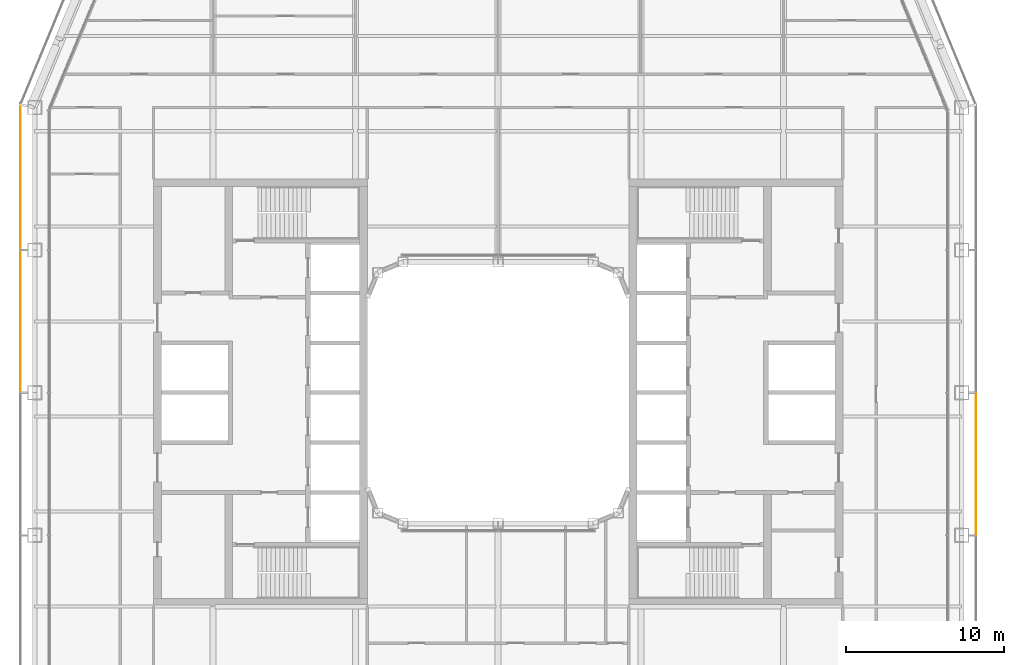
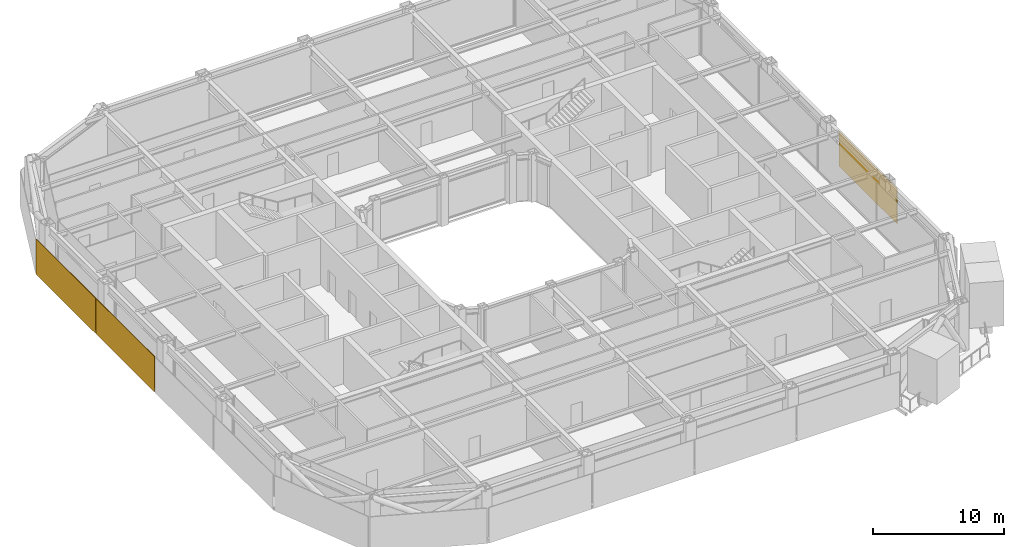
# One storey, part 20 of 23: 3 coverings.
"""IFC4 building model written with IfcOpenShell, lengths in metres."""

from ifc_helpers import new_model, si_unit, direction, frame, origin, origin_2d, place, context, subcontext, project, spatial, rectangle, extrude, material, layer, layer_set, type_object, element, save


model = new_model("IFC4")

# Units and contexts
model_context = context("Model", 3, precision=1e-05, world=origin(), true_north=direction((0.0, 1.0)))
body_context = subcontext(model_context, "Body", "Model", "MODEL_VIEW")
ifc_project = project(units=[si_unit("LENGTHUNIT", "METRE"), si_unit("AREAUNIT", "SQUARE_METRE"), si_unit("VOLUMEUNIT", "CUBIC_METRE"), si_unit("PLANEANGLEUNIT", "RADIAN"), si_unit("MASSUNIT", "GRAM", prefix="KILO")], contexts=[model_context])

# Site, building, storey
site_placement = place(None, origin())
site = spatial("IfcSite", under=ifc_project, at=site_placement, CompositionType="ELEMENT")
building_placement = place(site_placement, origin())
building = spatial("IfcBuilding", under=site, at=building_placement, Name="Siwar Civic Tower", CompositionType="ELEMENT")
storey_placement = place(building_placement, frame((0.0, 0.0, 163.199951171875)))
storey = spatial("IfcBuildingStorey", under=building, at=storey_placement, Name="L35", CompositionType="ELEMENT", Elevation=163.199951171875)

# Coverings
ifc_material_1 = material(Name="Perforated aluminium cassette, pale metal", Category="aluminium")
ifc_layer_1 = layer(ifc_material_1, 0.0400390625)
ifc_layer_set_1 = layer_set([ifc_layer_1], Name="Perforated aluminium cassette, pale metal")
covering_type_1 = type_object("IfcCoveringType", Name="ENV-OUTER SKIN OS-1", PredefinedType="CLADDING", material=ifc_layer_set_1)
covering_1_placement = place(storey_placement, frame((30.14990234375, -4.5, -0.14990234375), z_axis=(0.0, 0.0, 1.0), x_axis=(0.0, 1.0, 0.0)))
element("IfcCovering", 1, at=covering_1_placement, inside=storey, type_object=covering_type_1, Name="OUTER SKIN OS-1 E 2", PredefinedType="CLADDING", context=body_context, shape_type="SweptSolid", body=[
    extrude(rectangle(XDim=8.89990234375, YDim=0.0400390625, at=origin_2d()), origin(), (0.0, 0.0, 1.0), 3.300048828125),
])
ifc_material_2 = material(Name="Perforated aluminium cassette, pale metal", Category="aluminium")
ifc_layer_2 = layer(ifc_material_2, 0.050048828125)
ifc_layer_set_2 = layer_set([ifc_layer_2], Name="Perforated aluminium cassette, pale metal")
covering_type_2 = type_object("IfcCoveringType", Name="ENV-OUTER SKIN OS-3", PredefinedType="CLADDING", material=ifc_layer_set_2)
covering_2_placement = place(storey_placement, frame((-30.14990234375, 13.57958984375, -0.14990234375), z_axis=(0.0, 0.0, 1.0), x_axis=(0.0, -1.0, 0.0)))
element("IfcCovering", 2, at=covering_2_placement, inside=storey, type_object=covering_type_2, Name="OUTER SKIN OS-3 W 1", PredefinedType="CLADDING", context=body_context, shape_type="SweptSolid", body=[
    extrude(rectangle(XDim=9.05908203125, YDim=0.050048828125, at=origin_2d()), origin(), (0.0, 0.0, 1.0), 3.300048828125),
])
covering_3_placement = place(storey_placement, frame((-30.14990234375, 4.5, -0.14990234375), z_axis=(0.0, 0.0, 1.0), x_axis=(0.0, -1.0, 0.0)))
element("IfcCovering", 3, at=covering_3_placement, inside=storey, type_object=covering_type_2, Name="OUTER SKIN OS-3 W 2", PredefinedType="CLADDING", context=body_context, shape_type="SweptSolid", body=[
    extrude(rectangle(XDim=8.89990234375, YDim=0.050048828125, at=origin_2d()), origin(), (0.0, 0.0, 1.0), 3.300048828125),
])

save(model, "model.ifc")
